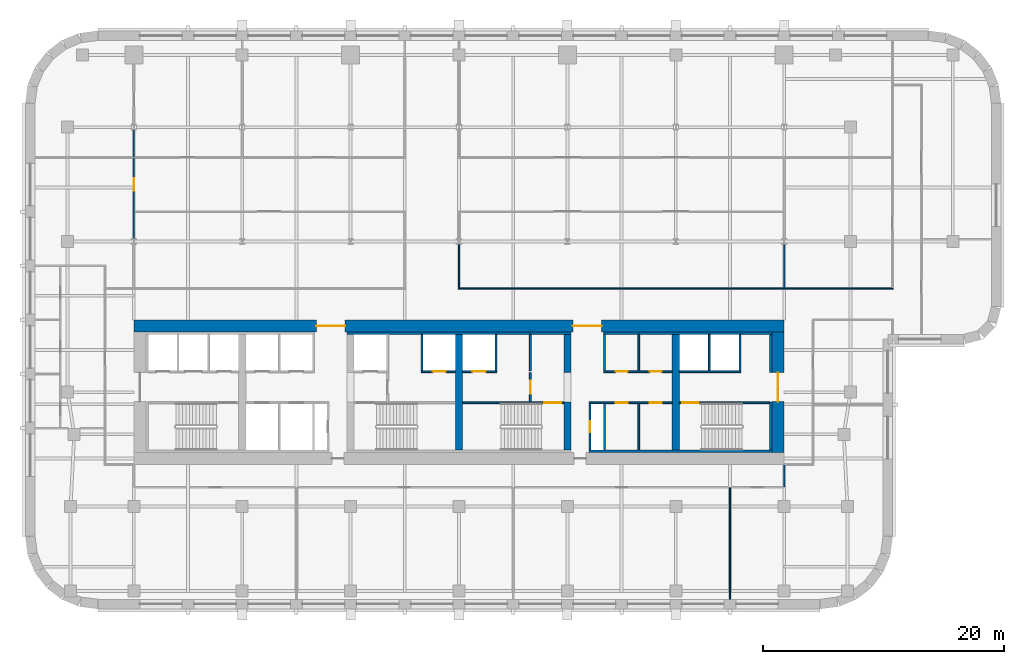
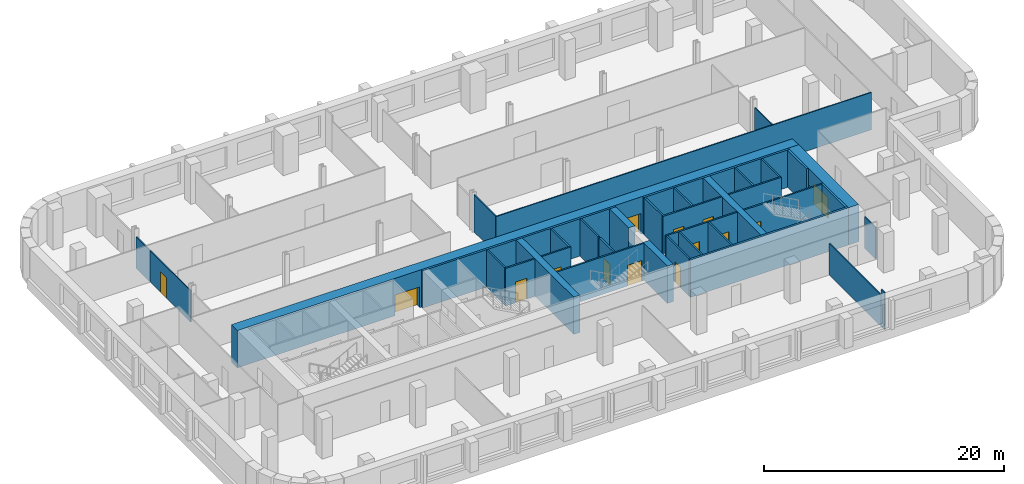
# One storey, part 5 of 10: 37 walls, 14 doors, 14 openings.
"""IFC4 building model written with IfcOpenShell, lengths in metres."""

from ifc_helpers import new_model, si_unit, direction, frame, frame_2d, origin, place, context, subcontext, project, spatial, rectangle, extrude, material, layer, layer_set, type_object, element, fill, save


model = new_model("IFC4")

# Units and contexts
model_context = context("Model", 3, precision=1e-05, world=origin(), true_north=direction((0.0, 1.0)))
body_context = subcontext(model_context, "Body", "Model", "MODEL_VIEW")
ifc_project = project(units=[si_unit("LENGTHUNIT", "METRE"), si_unit("AREAUNIT", "SQUARE_METRE"), si_unit("VOLUMEUNIT", "CUBIC_METRE"), si_unit("PLANEANGLEUNIT", "RADIAN"), si_unit("MASSUNIT", "GRAM", prefix="KILO")], contexts=[model_context])

# Site, building, storey
site_placement = place(None, origin())
site = spatial("IfcSite", under=ifc_project, at=site_placement, CompositionType="ELEMENT")
building_placement = place(site_placement, origin())
building = spatial("IfcBuilding", under=site, at=building_placement, Name="Zellij Exchange Tower", CompositionType="ELEMENT")
storey_placement = place(building_placement, frame((0.0, 0.0, 124.5)))
storey = spatial("IfcBuildingStorey", under=building, at=storey_placement, Name="L27", CompositionType="ELEMENT", Elevation=124.5)

# Walls
ifc_material_1 = material(Name="Concrete C70/85", Category="concrete")
ifc_layer_1 = layer(ifc_material_1, 0.60009765625)
ifc_layer_set_1 = layer_set([ifc_layer_1], Name="Concrete C70/85")
wall_type_1 = type_object("IfcWallType", Name="CORE-CW 600 C70/85", PredefinedType="SHEAR", material=ifc_layer_set_1)
wall_1_placement = place(storey_placement, frame((0.0, -12.800048828125, 0.0), z_axis=(0.0, 0.0, 1.0), x_axis=(0.0, 1.0, 0.0)))
element("IfcWall", 1, at=wall_1_placement, inside=storey, type_object=wall_type_1, Name="Core cross wall x 0 L27", PredefinedType="SHEAR", context=body_context, shape_type="SweptSolid", body=[
    extrude(rectangle(XDim=9.60009765625, YDim=0.60009765625, at=frame_2d((4.800048828125, 0.0))), origin(), (0.0, 0.0, 1.0), 3.800048828125),
])
wall_2_placement = place(storey_placement, frame((9.0, -12.800048828125, 0.0), z_axis=(0.0, 0.0, 1.0), x_axis=(0.0, 1.0, 0.0)))
element("IfcWall", 2, at=wall_2_placement, inside=storey, type_object=wall_type_1, Name="Core cross wall pier x 9 a L27", PredefinedType="SHEAR", context=body_context, shape_type="SweptSolid", body=[
    extrude(rectangle(XDim=4.0, YDim=0.60009765625, at=frame_2d((2.0, 0.0))), origin(), (0.0, 0.0, 1.0), 3.800048828125),
])
wall_3_placement = place(storey_placement, frame((9.0, -6.375, 0.0), z_axis=(0.0, 0.0, 1.0), x_axis=(0.0, 1.0, 0.0)))
element("IfcWall", 3, at=wall_3_placement, inside=storey, type_object=wall_type_1, Name="Core cross wall pier x 9 b L27", PredefinedType="SHEAR", context=body_context, shape_type="SweptSolid", body=[
    extrude(rectangle(XDim=3.175048828125, YDim=0.60009765625, at=frame_2d((1.58740234375, 0.0))), origin(), (0.0, 0.0, 1.0), 3.800048828125),
])
wall_4_placement = place(storey_placement, frame((18.0, -12.800048828125, 0.0), z_axis=(0.0, 0.0, 1.0), x_axis=(0.0, 1.0, 0.0)))
element("IfcWall", 4, at=wall_4_placement, inside=storey, type_object=wall_type_1, Name="Core cross wall x 18 L27", PredefinedType="SHEAR", context=body_context, shape_type="SweptSolid", body=[
    extrude(rectangle(XDim=9.60009765625, YDim=0.60009765625, at=frame_2d((4.800048828125, 0.0))), origin(), (0.0, 0.0, 1.0), 3.800048828125),
])
ifc_material_2 = material(Name="Concrete C30/37", Category="concrete")
ifc_layer_2 = layer(ifc_material_2, 0.199951171875)
ifc_layer_set_2 = layer_set([ifc_layer_2], Name="Concrete C30/37")
wall_type_2 = type_object("IfcWallType", Name="CORE-LW 200 C30/37", PredefinedType="SHEAR", material=ifc_layer_set_2)
wall_5_placement = place(storey_placement, frame((-9.300048828125, -3.10009765625, 0.0), z_axis=(0.0, 0.0, 1.0), x_axis=(1.0, 0.0, 0.0)))
element("IfcWall", 5, at=wall_5_placement, inside=storey, type_object=wall_type_2, Name="Core wall lining front.1 L27", PredefinedType="SHEAR", context=body_context, shape_type="SweptSolid", body=[
    extrude(rectangle(XDim=18.60009765625, YDim=0.199951171875, at=frame_2d((9.300048828125, 0.0))), origin(), (0.0, 0.0, 1.0), 3.800048828125),
])
wall_6_placement = place(storey_placement, frame((12.0, -3.10009765625, 0.0), z_axis=(0.0, 0.0, 1.0), x_axis=(1.0, 0.0, 0.0)))
element("IfcWall", 6, at=wall_6_placement, inside=storey, type_object=wall_type_2, Name="Core wall lining front.2 L27", PredefinedType="SHEAR", context=body_context, shape_type="SweptSolid", body=[
    extrude(rectangle(XDim=14.0, YDim=0.199951171875, at=frame_2d((7.0, 0.0))), origin(), (0.0, 0.0, 1.0), 3.800048828125),
])
wall_7_placement = place(storey_placement, frame((10.800048828125, -12.89990234375, 0.0), z_axis=(0.0, 0.0, 1.0), x_axis=(1.0, 0.0, 0.0)))
element("IfcWall", 7, at=wall_7_placement, inside=storey, type_object=wall_type_2, Name="Core wall lining rear.2 L27", PredefinedType="SHEAR", context=body_context, shape_type="SweptSolid", body=[
    extrude(rectangle(XDim=15.199951171875, YDim=0.199951171875, at=frame_2d((7.60009765625, 0.0))), origin(), (0.0, 0.0, 1.0), 3.800048828125),
])
wall_8_placement = place(storey_placement, frame((25.89990234375, -12.800048828125, 0.0), z_axis=(0.0, 0.0, 1.0), x_axis=(0.0, 1.0, 0.0)))
element("IfcWall", 8, at=wall_8_placement, inside=storey, type_object=wall_type_2, Name="Core wall lining end e.0 L27", PredefinedType="SHEAR", context=body_context, shape_type="SweptSolid", body=[
    extrude(rectangle(XDim=4.0, YDim=0.199951171875, at=frame_2d((2.0, 0.0))), origin(), (0.0, 0.0, 1.0), 3.800048828125),
])
wall_9_placement = place(storey_placement, frame((25.89990234375, -6.375, 0.0), z_axis=(0.0, 0.0, 1.0), x_axis=(0.0, 1.0, 0.0)))
element("IfcWall", 9, at=wall_9_placement, inside=storey, type_object=wall_type_2, Name="Core wall lining end e.1 L27", PredefinedType="SHEAR", context=body_context, shape_type="SweptSolid", body=[
    extrude(rectangle(XDim=3.175048828125, YDim=0.199951171875, at=frame_2d((1.58740234375, 0.0))), origin(), (0.0, 0.0, 1.0), 3.800048828125),
])

# Wall, opening, door
ifc_material_3 = material(Name="Gypsum shaft wall system")
ifc_layer_3 = layer(ifc_material_3, 0.14990234375)
ifc_layer_set_3 = layer_set([ifc_layer_3], Name="Gypsum shaft wall system")
wall_type_3 = type_object("IfcWallType", Name="CORE-PW 150 Firefighting lobby wall", PredefinedType="PARTITIONING", material=ifc_layer_set_3)
wall_10_placement = place(storey_placement, frame((5.925048828125, -8.800048828125, 0.0), z_axis=(0.0, 0.0, 1.0), x_axis=(0.0, 1.0, 0.0)))
wall_10 = element("IfcWall", 10, at=wall_10_placement, inside=storey, type_object=wall_type_3, Name="Firefighting lobby wall L27", PredefinedType="PARTITIONING", context=body_context, shape_type="SweptSolid", body=[
    extrude(rectangle(XDim=2.425048828125, YDim=0.14990234375, at=frame_2d((1.21240234375, 0.0))), origin(), (0.0, 0.0, 1.0), 3.800048828125),
])
opening_1_placement = place(wall_10_placement, frame((0.662109375, 0.0, 0.0)))
opening_1 = element("IfcOpeningElement", 11, at=opening_1_placement, cuts=wall_10, Name="Opening CA-15.18", PredefinedType="OPENING", context=body_context, shape_type="SweptSolid", body=[
    extrude(rectangle(XDim=1.10009765625, YDim=2.10009765625, at=frame_2d((0.550048828125, 1.050048828125))), frame((0.0, 0.0869140625, 0.0), z_axis=(0.0, -1.0, 0.0), x_axis=(1.0, 0.0, 0.0)), (0.0, 0.0, 1.0), 0.173828125),
])
ifc_material_4 = material(Name="Hollow metal fire door")
door_type_1 = type_object("IfcDoorType", Name="CORE-D F Firefighting lobby door 1100x2100 1 HR", OperationType="NOTDEFINED", PredefinedType="DOOR", material=ifc_material_4)
door_1_placement = place(opening_1_placement, origin())
door_1 = element("IfcDoor", 12, at=door_1_placement, inside=storey, type_object=door_type_1, Name="Firefighting lobby door CA-15.18", OperationType="SINGLE_SWING_RIGHT", OverallHeight=2.10009765625, OverallWidth=1.10009765625, PredefinedType="DOOR", context=body_context, shape_type="SweptSolid", body=[
    extrude(rectangle(XDim=1.10009765625, YDim=2.10009765625, at=frame_2d((0.550048828125, 1.050048828125))), frame((0.0, 0.02490234375, 0.0), z_axis=(0.0, -1.0, 0.0), x_axis=(1.0, 0.0, 0.0)), (0.0, 0.0, 1.0), 0.050048828125),
])
fill(opening_1, door_1)

# Walls
ifc_material_5 = material(Name="Gypsum board partition")
ifc_layer_4 = layer(ifc_material_5, 0.14990234375)
ifc_layer_set_4 = layer_set([ifc_layer_4], Name="Gypsum board partition")
wall_type_4 = type_object("IfcWallType", Name="CORE-PW 150 Lift lobby wall", PredefinedType="PARTITIONING", material=ifc_layer_set_4)
for number, where, z_axis, x_axis, name in (
    (13, (5.925048828125, -6.22509765625, 0.0), (0.0, 0.0, 1.0), (0.0, 1.0, 0.0), "Lift lobby wall L27"),
    (14, (12.074951171875, -6.22509765625, 0.0), (0.0, 0.0, 1.0), (0.0, 1.0, 0.0), "Lift lobby wall L27"),
    (15, (14.925048828125, -6.22509765625, 0.0), (0.0, 0.0, 1.0), (0.0, 1.0, 0.0), "Lift lobby wall L27"),
):
    element("IfcWall", number, at=place(storey_placement, frame(where, z_axis=z_axis, x_axis=x_axis)), inside=storey, type_object=wall_type_4, Name=name, PredefinedType="PARTITIONING", context=body_context, shape_type="SweptSolid", body=[
        extrude(rectangle(XDim=3.025146484375, YDim=0.14990234375, at=frame_2d((1.5126953125, 0.0))), origin(), (0.0, 0.0, 1.0), 3.800048828125),
    ])

# Wall, opening, door
wall_11_placement = place(storey_placement, frame((10.875, -12.800048828125, 0.0), z_axis=(0.0, 0.0, 1.0), x_axis=(0.0, 1.0, 0.0)))
wall_11 = element("IfcWall", 16, at=wall_11_placement, inside=storey, type_object=wall_type_4, Name="Lift lobby wall L27", PredefinedType="PARTITIONING", context=body_context, shape_type="SweptSolid", body=[
    extrude(rectangle(XDim=3.85009765625, YDim=0.14990234375, at=frame_2d((1.925048828125, 0.0))), origin(), (0.0, 0.0, 1.0), 3.800048828125),
])
opening_2_placement = place(wall_11_placement, frame((1.47509765625, 0.0, 0.0)))
opening_2 = element("IfcOpeningElement", 17, at=opening_2_placement, cuts=wall_11, Name="Opening CA-15.22", PredefinedType="OPENING", context=body_context, shape_type="SweptSolid", body=[
    extrude(rectangle(XDim=0.89990234375, YDim=2.10009765625, at=frame_2d((0.449951171875, 1.050048828125))), frame((0.0, 0.0869140625, 0.0), z_axis=(0.0, -1.0, 0.0), x_axis=(1.0, 0.0, 0.0)), (0.0, 0.0, 1.0), 0.173828125),
])
door_type_2 = type_object("IfcDoorType", Name="CORE-D RD Riser door 900x2100 1.5 HR", OperationType="NOTDEFINED", PredefinedType="DOOR", material=ifc_material_4)
door_2_placement = place(opening_2_placement, origin())
door_2 = element("IfcDoor", 18, at=door_2_placement, inside=storey, type_object=door_type_2, Name="Riser door CA-15.22", OperationType="SINGLE_SWING_LEFT", OverallHeight=2.10009765625, OverallWidth=0.89990234375, PredefinedType="DOOR", context=body_context, shape_type="SweptSolid", body=[
    extrude(rectangle(XDim=0.89990234375, YDim=2.10009765625, at=frame_2d((0.449951171875, 1.050048828125))), frame((0.0, 0.02490234375, 0.0), z_axis=(0.0, -1.0, 0.0), x_axis=(1.0, 0.0, 0.0)), (0.0, 0.0, 1.0), 0.050048828125),
])
fill(opening_2, door_2)

# Walls
for number, where, z_axis, x_axis, name in (
    (19, (12.074951171875, -12.800048828125, 0.0), (0.0, 0.0, 1.0), (0.0, 1.0, 0.0), "Lift lobby wall L27"),
    (20, (14.925048828125, -12.800048828125, 0.0), (0.0, 0.0, 1.0), (0.0, 1.0, 0.0), "Lift lobby wall L27"),
):
    element("IfcWall", number, at=place(storey_placement, frame(where, z_axis=z_axis, x_axis=x_axis)), inside=storey, type_object=wall_type_4, Name=name, PredefinedType="PARTITIONING", context=body_context, shape_type="SweptSolid", body=[
        extrude(rectangle(XDim=3.85009765625, YDim=0.14990234375, at=frame_2d((1.925048828125, 0.0))), origin(), (0.0, 0.0, 1.0), 3.800048828125),
    ])

# Wall, openings, doors
wall_12_placement = place(storey_placement, frame((12.0, -6.300048828125, 0.0), z_axis=(0.0, 0.0, 1.0), x_axis=(1.0, 0.0, 0.0)))
wall_12 = element("IfcWall", 21, at=wall_12_placement, inside=storey, type_object=wall_type_4, Name="Lift lobby wall L27", PredefinedType="PARTITIONING", context=body_context, shape_type="SweptSolid", body=[
    extrude(rectangle(XDim=5.699951171875, YDim=0.14990234375, at=frame_2d((2.85009765625, 0.0))), origin(), (0.0, 0.0, 1.0), 3.800048828125),
])
opening_3_placement = place(wall_12_placement, frame((1.0, 0.0, 0.0)))
opening_3 = element("IfcOpeningElement", 22, at=opening_3_placement, cuts=wall_12, Name="Opening CA-15.24", PredefinedType="OPENING", context=body_context, shape_type="SweptSolid", body=[
    extrude(rectangle(XDim=1.0, YDim=2.10009765625, at=frame_2d((0.5, 1.050048828125))), frame((0.0, 0.0869140625, 0.0), z_axis=(0.0, -1.0, 0.0), x_axis=(1.0, 0.0, 0.0)), (0.0, 0.0, 1.0), 0.173828125),
])
opening_4_placement = place(wall_12_placement, frame((3.85009765625, 0.0, 0.0)))
opening_4 = element("IfcOpeningElement", 23, at=opening_4_placement, cuts=wall_12, Name="Opening CA-15.26", PredefinedType="OPENING", context=body_context, shape_type="SweptSolid", body=[
    extrude(rectangle(XDim=1.0, YDim=2.10009765625, at=frame_2d((0.5, 1.050048828125))), frame((0.0, 0.0869140625, 0.0), z_axis=(0.0, -1.0, 0.0), x_axis=(1.0, 0.0, 0.0)), (0.0, 0.0, 1.0), 0.173828125),
])
door_type_3 = type_object("IfcDoorType", Name="CORE-D CD Core room door 1000x2100 1 HR", OperationType="NOTDEFINED", PredefinedType="DOOR", material=ifc_material_4)
door_3_placement = place(opening_3_placement, origin())
door_3 = element("IfcDoor", 24, at=door_3_placement, inside=storey, type_object=door_type_3, Name="Core room door CA-15.24", OperationType="SINGLE_SWING_LEFT", OverallHeight=2.10009765625, OverallWidth=1.0, PredefinedType="DOOR", context=body_context, shape_type="SweptSolid", body=[
    extrude(rectangle(XDim=1.0, YDim=2.10009765625, at=frame_2d((0.5, 1.050048828125))), frame((0.0, 0.02490234375, 0.0), z_axis=(0.0, -1.0, 0.0), x_axis=(1.0, 0.0, 0.0)), (0.0, 0.0, 1.0), 0.050048828125),
])
fill(opening_3, door_3)
door_4_placement = place(opening_4_placement, origin())
door_4 = element("IfcDoor", 25, at=door_4_placement, inside=storey, type_object=door_type_3, Name="Core room door CA-15.26", OperationType="SINGLE_SWING_RIGHT", OverallHeight=2.10009765625, OverallWidth=1.0, PredefinedType="DOOR", context=body_context, shape_type="SweptSolid", body=[
    extrude(rectangle(XDim=1.0, YDim=2.10009765625, at=frame_2d((0.5, 1.050048828125))), frame((0.0, 0.02490234375, 0.0), z_axis=(0.0, -1.0, 0.0), x_axis=(1.0, 0.0, 0.0)), (0.0, 0.0, 1.0), 0.050048828125),
])
fill(opening_4, door_4)

wall_13_placement = place(storey_placement, frame((10.800048828125, -8.875, 0.0), z_axis=(0.0, 0.0, 1.0), x_axis=(1.0, 0.0, 0.0)))
wall_13 = element("IfcWall", 26, at=wall_13_placement, inside=storey, type_object=wall_type_4, Name="Lift lobby wall L27", PredefinedType="PARTITIONING", context=body_context, shape_type="SweptSolid", body=[
    extrude(rectangle(XDim=6.89990234375, YDim=0.14990234375, at=frame_2d((3.449951171875, 0.0))), origin(), (0.0, 0.0, 1.0), 3.800048828125),
])
opening_5_placement = place(wall_13_placement, frame((2.199951171875, 0.0, 0.0)))
opening_5 = element("IfcOpeningElement", 27, at=opening_5_placement, cuts=wall_13, Name="Opening CA-15.23", PredefinedType="OPENING", context=body_context, shape_type="SweptSolid", body=[
    extrude(rectangle(XDim=1.0, YDim=2.10009765625, at=frame_2d((0.5, 1.050048828125))), frame((0.0, 0.0869140625, 0.0), z_axis=(0.0, -1.0, 0.0), x_axis=(1.0, 0.0, 0.0)), (0.0, 0.0, 1.0), 0.173828125),
])
opening_6_placement = place(wall_13_placement, frame((5.050048828125, 0.0, 0.0)))
opening_6 = element("IfcOpeningElement", 28, at=opening_6_placement, cuts=wall_13, Name="Opening CA-15.25", PredefinedType="OPENING", context=body_context, shape_type="SweptSolid", body=[
    extrude(rectangle(XDim=1.0, YDim=2.10009765625, at=frame_2d((0.5, 1.050048828125))), frame((0.0, 0.0869140625, 0.0), z_axis=(0.0, -1.0, 0.0), x_axis=(1.0, 0.0, 0.0)), (0.0, 0.0, 1.0), 0.173828125),
])
door_5_placement = place(opening_5_placement, origin())
door_5 = element("IfcDoor", 29, at=door_5_placement, inside=storey, type_object=door_type_3, Name="Core room door CA-15.23", OperationType="SINGLE_SWING_RIGHT", OverallHeight=2.10009765625, OverallWidth=1.0, PredefinedType="DOOR", context=body_context, shape_type="SweptSolid", body=[
    extrude(rectangle(XDim=1.0, YDim=2.10009765625, at=frame_2d((0.5, 1.050048828125))), frame((0.0, 0.02490234375, 0.0), z_axis=(0.0, -1.0, 0.0), x_axis=(1.0, 0.0, 0.0)), (0.0, 0.0, 1.0), 0.050048828125),
])
fill(opening_5, door_5)
door_6_placement = place(opening_6_placement, origin())
door_6 = element("IfcDoor", 30, at=door_6_placement, inside=storey, type_object=door_type_3, Name="Core room door CA-15.25", OperationType="SINGLE_SWING_LEFT", OverallHeight=2.10009765625, OverallWidth=1.0, PredefinedType="DOOR", context=body_context, shape_type="SweptSolid", body=[
    extrude(rectangle(XDim=1.0, YDim=2.10009765625, at=frame_2d((0.5, 1.050048828125))), frame((0.0, 0.02490234375, 0.0), z_axis=(0.0, -1.0, 0.0), x_axis=(1.0, 0.0, 0.0)), (0.0, 0.0, 1.0), 0.050048828125),
])
fill(opening_6, door_6)

# Walls
ifc_layer_5 = layer(ifc_material_3, 0.14990234375)
ifc_layer_set_5 = layer_set([ifc_layer_5], Name="Gypsum shaft wall system")
wall_type_5 = type_object("IfcWallType", Name="CORE-PW 150 Lift shaft wall", PredefinedType="PARTITIONING", material=ifc_layer_set_5)
for number, where, z_axis, x_axis, name in (
    (31, (-3.074951171875, -6.22509765625, 0.0), (0.0, 0.0, 1.0), (0.0, 1.0, 0.0), "Lift shaft wall L27"),
    (32, (3.074951171875, -6.22509765625, 0.0), (0.0, 0.0, 1.0), (0.0, 1.0, 0.0), "Lift shaft wall L27"),
    (33, (20.77490234375, -6.22509765625, 0.0), (0.0, 0.0, 1.0), (0.0, 1.0, 0.0), "Lift shaft wall L27"),
    (34, (23.324951171875, -6.22509765625, 0.0), (0.0, 0.0, 1.0), (0.0, 1.0, 0.0), "Lift shaft wall L27"),
):
    element("IfcWall", number, at=place(storey_placement, frame(where, z_axis=z_axis, x_axis=x_axis)), inside=storey, type_object=wall_type_5, Name=name, PredefinedType="PARTITIONING", context=body_context, shape_type="SweptSolid", body=[
        extrude(rectangle(XDim=3.025146484375, YDim=0.14990234375, at=frame_2d((1.5126953125, 0.0))), origin(), (0.0, 0.0, 1.0), 3.800048828125),
    ])

# Wall, opening, door
wall_14_placement = place(storey_placement, frame((-3.14990234375, -6.300048828125, 0.0), z_axis=(0.0, 0.0, 1.0), x_axis=(1.0, 0.0, 0.0)))
wall_14 = element("IfcWall", 35, at=wall_14_placement, inside=storey, type_object=wall_type_5, Name="Lift shaft wall L27", PredefinedType="PARTITIONING", context=body_context, shape_type="SweptSolid", body=[
    extrude(rectangle(XDim=2.849853515625, YDim=0.14990234375, at=frame_2d((1.4248046875, 0.0))), origin(), (0.0, 0.0, 1.0), 3.800048828125),
])
opening_7_placement = place(wall_14_placement, frame((0.949951171875, 0.0, 0.0)))
opening_7 = element("IfcOpeningElement", 36, at=opening_7_placement, cuts=wall_14, Name="Opening CA-15.16", PredefinedType="OPENING", context=body_context, shape_type="SweptSolid", body=[
    extrude(rectangle(XDim=1.10009765625, YDim=2.10009765625, at=frame_2d((0.550048828125, 1.050048828125))), frame((0.0, 0.0869140625, 0.0), z_axis=(0.0, -1.0, 0.0), x_axis=(1.0, 0.0, 0.0)), (0.0, 0.0, 1.0), 0.173828125),
])
door_type_4 = type_object("IfcDoorType", Name="CORE-D LD Lift landing door 1100x2100 1.5 HR", OperationType="NOTDEFINED", PredefinedType="DOOR", material=ifc_material_4)
door_7_placement = place(opening_7_placement, origin())
door_7 = element("IfcDoor", 37, at=door_7_placement, inside=storey, type_object=door_type_4, Name="Lift landing door CA-15.16", OperationType="SLIDING_TO_RIGHT", OverallHeight=2.10009765625, OverallWidth=1.10009765625, PredefinedType="DOOR", context=body_context, shape_type="SweptSolid", body=[
    extrude(rectangle(XDim=1.10009765625, YDim=2.10009765625, at=frame_2d((0.550048828125, 1.050048828125))), frame((0.0, 0.02490234375, 0.0), z_axis=(0.0, -1.0, 0.0), x_axis=(1.0, 0.0, 0.0)), (0.0, 0.0, 1.0), 0.050048828125),
])
fill(opening_7, door_7)

wall_15_placement = place(storey_placement, frame((0.300048828125, -6.300048828125, 0.0), z_axis=(0.0, 0.0, 1.0), x_axis=(1.0, 0.0, 0.0)))
wall_15 = element("IfcWall", 38, at=wall_15_placement, inside=storey, type_object=wall_type_5, Name="Lift shaft wall L27", PredefinedType="PARTITIONING", context=body_context, shape_type="SweptSolid", body=[
    extrude(rectangle(XDim=2.849853515625, YDim=0.14990234375, at=frame_2d((1.4248046875, 0.0))), origin(), (0.0, 0.0, 1.0), 3.800048828125),
])
opening_8_placement = place(wall_15_placement, frame((0.800048828125, 0.0, 0.0)))
opening_8 = element("IfcOpeningElement", 39, at=opening_8_placement, cuts=wall_15, Name="Opening CA-15.17", PredefinedType="OPENING", context=body_context, shape_type="SweptSolid", body=[
    extrude(rectangle(XDim=1.10009765625, YDim=2.10009765625, at=frame_2d((0.550048828125, 1.050048828125))), frame((0.0, 0.0869140625, 0.0), z_axis=(0.0, -1.0, 0.0), x_axis=(1.0, 0.0, 0.0)), (0.0, 0.0, 1.0), 0.173828125),
])
door_8_placement = place(opening_8_placement, origin())
door_8 = element("IfcDoor", 40, at=door_8_placement, inside=storey, type_object=door_type_4, Name="Lift landing door CA-15.17", OperationType="SLIDING_TO_LEFT", OverallHeight=2.10009765625, OverallWidth=1.10009765625, PredefinedType="DOOR", context=body_context, shape_type="SweptSolid", body=[
    extrude(rectangle(XDim=1.10009765625, YDim=2.10009765625, at=frame_2d((0.550048828125, 1.050048828125))), frame((0.0, 0.02490234375, 0.0), z_axis=(0.0, -1.0, 0.0), x_axis=(1.0, 0.0, 0.0)), (0.0, 0.0, 1.0), 0.050048828125),
])
fill(opening_8, door_8)

# Wall
wall_16_placement = place(storey_placement, frame((18.300048828125, -6.300048828125, 0.0), z_axis=(0.0, 0.0, 1.0), x_axis=(1.0, 0.0, 0.0)))
element("IfcWall", 41, at=wall_16_placement, inside=storey, type_object=wall_type_5, Name="Lift shaft wall L27", PredefinedType="PARTITIONING", context=body_context, shape_type="SweptSolid", body=[
    extrude(rectangle(XDim=5.099853515625, YDim=0.14990234375, at=frame_2d((2.5498046875, 0.0))), origin(), (0.0, 0.0, 1.0), 3.800048828125),
])

# Wall, openings, doors
ifc_layer_6 = layer(ifc_material_1, 1.0)
ifc_layer_set_6 = layer_set([ifc_layer_6], Name="Concrete C70/85")
wall_type_6 = type_object("IfcWallType", Name="CORE-SW 1000 C70/85", PredefinedType="SHEAR", material=ifc_layer_set_6)
wall_17_placement = place(storey_placement, frame((-27.0, -2.5, 0.0), z_axis=(0.0, 0.0, 1.0), x_axis=(1.0, 0.0, 0.0)))
wall_17 = element("IfcWall", 42, at=wall_17_placement, inside=storey, type_object=wall_type_6, Name="Core shear wall front L27", PredefinedType="SHEAR", context=body_context, shape_type="SweptSolid", body=[
    extrude(rectangle(XDim=54.0, YDim=1.0, at=frame_2d((27.0, 0.0))), origin(), (0.0, 0.0, 1.0), 3.800048828125),
])
opening_9_placement = place(wall_17_placement, frame((15.14990234375, 0.0, 0.0)))
opening_9 = element("IfcOpeningElement", 43, at=opening_9_placement, cuts=wall_17, Name="Opening CA-15.11", PredefinedType="OPENING", context=body_context, shape_type="SweptSolid", body=[
    extrude(rectangle(XDim=2.39990234375, YDim=2.10009765625, at=frame_2d((1.199951171875, 1.050048828125))), frame((0.0, 0.511962890625, 0.0), z_axis=(0.0, -1.0, 0.0), x_axis=(1.0, 0.0, 0.0)), (0.0, 0.0, 1.0), 1.02392578125),
])
opening_10_placement = place(wall_17_placement, frame((36.449951171875, 0.0, 0.0)))
opening_10 = element("IfcOpeningElement", 44, at=opening_10_placement, cuts=wall_17, Name="Opening CA-15.21", PredefinedType="OPENING", context=body_context, shape_type="SweptSolid", body=[
    extrude(rectangle(XDim=2.39990234375, YDim=2.10009765625, at=frame_2d((1.199951171875, 1.050048828125))), frame((0.0, 0.511962890625, 0.0), z_axis=(0.0, -1.0, 0.0), x_axis=(1.0, 0.0, 0.0)), (0.0, 0.0, 1.0), 1.02392578125),
])
door_type_5 = type_object("IfcDoorType", Name="CORE-D CE Core entrance door 2400x2100 20 MIN", OperationType="NOTDEFINED", PredefinedType="DOOR", material=ifc_material_4)
door_9_placement = place(opening_9_placement, origin())
door_9 = element("IfcDoor", 45, at=door_9_placement, inside=storey, type_object=door_type_5, Name="Core entrance door CA-15.11", OperationType="DOUBLE_DOOR_SINGLE_SWING", OverallHeight=2.10009765625, OverallWidth=2.39990234375, PredefinedType="DOOR", context=body_context, shape_type="SweptSolid", body=[
    extrude(rectangle(XDim=2.39990234375, YDim=2.10009765625, at=frame_2d((1.199951171875, 1.050048828125))), frame((0.0, 0.02490234375, 0.0), z_axis=(0.0, -1.0, 0.0), x_axis=(1.0, 0.0, 0.0)), (0.0, 0.0, 1.0), 0.050048828125),
])
fill(opening_9, door_9)
door_10_placement = place(opening_10_placement, origin())
door_10 = element("IfcDoor", 46, at=door_10_placement, inside=storey, type_object=door_type_5, Name="Core entrance door CA-15.21", OperationType="DOUBLE_DOOR_SINGLE_SWING", OverallHeight=2.10009765625, OverallWidth=2.39990234375, PredefinedType="DOOR", context=body_context, shape_type="SweptSolid", body=[
    extrude(rectangle(XDim=2.39990234375, YDim=2.10009765625, at=frame_2d((1.199951171875, 1.050048828125))), frame((0.0, 0.02490234375, 0.0), z_axis=(0.0, -1.0, 0.0), x_axis=(1.0, 0.0, 0.0)), (0.0, 0.0, 1.0), 0.050048828125),
])
fill(opening_10, door_10)

# Wall, opening, door
wall_18_placement = place(storey_placement, frame((26.5, -13.0, 0.0), z_axis=(0.0, 0.0, 1.0), x_axis=(0.0, 1.0, 0.0)))
wall_18 = element("IfcWall", 47, at=wall_18_placement, inside=storey, type_object=wall_type_6, Name="Core shear wall end e L27", PredefinedType="SHEAR", context=body_context, shape_type="SweptSolid", body=[
    extrude(rectangle(XDim=10.0, YDim=1.0, at=frame_2d((5.0, 0.0))), origin(), (0.0, 0.0, 1.0), 3.800048828125),
])
opening_11_placement = place(wall_18_placement, frame((4.2119140625, 0.0, 0.0)))
opening_11 = element("IfcOpeningElement", 48, at=opening_11_placement, cuts=wall_18, Name="Opening CA-15.28", PredefinedType="OPENING", context=body_context, shape_type="SweptSolid", body=[
    extrude(rectangle(XDim=2.39990234375, YDim=2.10009765625, at=frame_2d((1.199951171875, 1.050048828125))), frame((0.0, 0.511962890625, 0.0), z_axis=(0.0, -1.0, 0.0), x_axis=(1.0, 0.0, 0.0)), (0.0, 0.0, 1.0), 1.02392578125),
])
door_11_placement = place(opening_11_placement, origin())
door_11 = element("IfcDoor", 49, at=door_11_placement, inside=storey, type_object=door_type_5, Name="Core entrance door CA-15.28", OperationType="DOUBLE_DOOR_SINGLE_SWING", OverallHeight=2.10009765625, OverallWidth=2.39990234375, PredefinedType="DOOR", context=body_context, shape_type="SweptSolid", body=[
    extrude(rectangle(XDim=2.39990234375, YDim=2.10009765625, at=frame_2d((1.199951171875, 1.050048828125))), frame((0.0, 0.02490234375, 0.0), z_axis=(0.0, -1.0, 0.0), x_axis=(1.0, 0.0, 0.0)), (0.0, 0.0, 1.0), 0.050048828125),
])
fill(opening_11, door_11)

ifc_layer_7 = layer(ifc_material_1, 0.14990234375)
ifc_layer_set_7 = layer_set([ifc_layer_7], Name="Concrete C70/85")
wall_type_7 = type_object("IfcWallType", Name="CORE-SWS 150 C70/85", PredefinedType="SHEAR", material=ifc_layer_set_7)
wall_19_placement = place(storey_placement, frame((0.300048828125, -8.875, 0.0), z_axis=(0.0, 0.0, 1.0), x_axis=(1.0, 0.0, 0.0)))
wall_19 = element("IfcWall", 50, at=wall_19_placement, inside=storey, type_object=wall_type_7, Name="Stair enclosure wall L27", PredefinedType="SHEAR", context=body_context, shape_type="SweptSolid", body=[
    extrude(rectangle(XDim=8.39990234375, YDim=0.14990234375, at=frame_2d((4.199951171875, 0.0))), origin(), (0.0, 0.0, 1.0), 3.800048828125),
])
opening_12_placement = place(wall_19_placement, frame((6.77490234375, 0.0, 0.0)))
opening_12 = element("IfcOpeningElement", 51, at=opening_12_placement, cuts=wall_19, Name="Opening CA-15.19", PredefinedType="OPENING", context=body_context, shape_type="SweptSolid", body=[
    extrude(rectangle(XDim=1.39990234375, YDim=2.10009765625, at=frame_2d((0.699951171875, 1.050048828125))), frame((0.0, 0.0869140625, 0.0), z_axis=(0.0, -1.0, 0.0), x_axis=(1.0, 0.0, 0.0)), (0.0, 0.0, 1.0), 0.173828125),
])
door_type_6 = type_object("IfcDoorType", Name="CORE-D SD Stair door 1400x2100 1.5 HR", OperationType="NOTDEFINED", PredefinedType="DOOR", material=ifc_material_4)
door_12_placement = place(opening_12_placement, origin())
door_12 = element("IfcDoor", 52, at=door_12_placement, inside=storey, type_object=door_type_6, Name="Stair door CA-15.19", OperationType="DOUBLE_DOOR_SINGLE_SWING", OverallHeight=2.10009765625, OverallWidth=1.39990234375, PredefinedType="DOOR", context=body_context, shape_type="SweptSolid", body=[
    extrude(rectangle(XDim=1.39990234375, YDim=2.10009765625, at=frame_2d((0.699951171875, 1.050048828125))), frame((0.0, 0.02490234375, 0.0), z_axis=(0.0, -1.0, 0.0), x_axis=(1.0, 0.0, 0.0)), (0.0, 0.0, 1.0), 0.050048828125),
])
fill(opening_12, door_12)

wall_20_placement = place(storey_placement, frame((18.300048828125, -8.875, 0.0), z_axis=(0.0, 0.0, 1.0), x_axis=(1.0, 0.0, 0.0)))
wall_20 = element("IfcWall", 53, at=wall_20_placement, inside=storey, type_object=wall_type_7, Name="Stair enclosure wall L27", PredefinedType="SHEAR", context=body_context, shape_type="SweptSolid", body=[
    extrude(rectangle(XDim=7.5, YDim=0.14990234375, at=frame_2d((3.75, 0.0))), origin(), (0.0, 0.0, 1.0), 3.800048828125),
])
opening_13_placement = place(wall_20_placement, frame((0.22509765625, 0.0, 0.0)))
opening_13 = element("IfcOpeningElement", 54, at=opening_13_placement, cuts=wall_20, Name="Opening CA-15.27", PredefinedType="OPENING", context=body_context, shape_type="SweptSolid", body=[
    extrude(rectangle(XDim=1.39990234375, YDim=2.10009765625, at=frame_2d((0.699951171875, 1.050048828125))), frame((0.0, 0.0869140625, 0.0), z_axis=(0.0, -1.0, 0.0), x_axis=(1.0, 0.0, 0.0)), (0.0, 0.0, 1.0), 0.173828125),
])
door_13_placement = place(opening_13_placement, origin())
door_13 = element("IfcDoor", 55, at=door_13_placement, inside=storey, type_object=door_type_6, Name="Stair door CA-15.27", OperationType="DOUBLE_DOOR_SINGLE_SWING", OverallHeight=2.10009765625, OverallWidth=1.39990234375, PredefinedType="DOOR", context=body_context, shape_type="SweptSolid", body=[
    extrude(rectangle(XDim=1.39990234375, YDim=2.10009765625, at=frame_2d((0.699951171875, 1.050048828125))), frame((0.0, 0.02490234375, 0.0), z_axis=(0.0, -1.0, 0.0), x_axis=(1.0, 0.0, 0.0)), (0.0, 0.0, 1.0), 0.050048828125),
])
fill(opening_13, door_13)

# Walls
ifc_material_6 = material(Name="Gypsum board partition on steel studs", Category="steel")
ifc_layer_8 = layer(ifc_material_6, 0.10009765625)
ifc_layer_set_8 = layer_set([ifc_layer_8], Name="Gypsum board partition on steel studs")
wall_type_8 = type_object("IfcWallType", Name="FIT-PARTITION-100", PredefinedType="PARTITIONING", material=ifc_layer_set_8)
wall_21_placement = place(storey_placement, frame((22.5, -25.199951171875, 0.0), z_axis=(0.0, 0.0, 1.0), x_axis=(0.0, 1.0, 0.0)))
element("IfcWall", 56, at=wall_21_placement, inside=storey, type_object=wall_type_8, Name="FIT-PARTITION-100 005", PredefinedType="PARTITIONING", context=body_context, shape_type="SweptSolid", body=[
    extrude(rectangle(XDim=0.58544921875, YDim=0.10009765625, at=frame_2d((0.292724609375, 0.0))), origin(), (0.0, 0.0, 1.0), 3.800048828125),
])
wall_22_placement = place(storey_placement, frame((22.5, -24.614501953125, 0.0), z_axis=(0.0, 0.0, 1.0), x_axis=(0.0, 1.0, 0.0)))
element("IfcWall", 57, at=wall_22_placement, inside=storey, type_object=wall_type_8, Name="FIT-PARTITION-100 006", PredefinedType="PARTITIONING", context=body_context, shape_type="SweptSolid", body=[
    extrude(rectangle(XDim=8.66455078125, YDim=0.10009765625, at=frame_2d((4.332275390625, 0.0))), origin(), (0.0, 0.0, 1.0), 3.197998046875),
])
wall_23_placement = place(storey_placement, frame((27.0, -15.85009765625, 0.0), z_axis=(0.0, 0.0, 1.0), x_axis=(0.0, 1.0, 0.0)))
element("IfcWall", 58, at=wall_23_placement, inside=storey, type_object=wall_type_8, Name="FIT-PARTITION-100 009", PredefinedType="PARTITIONING", context=body_context, shape_type="SweptSolid", body=[
    extrude(rectangle(XDim=1.800048828125, YDim=0.10009765625, at=frame_2d((0.89990234375, 0.0))), origin(), (0.0, 0.0, 1.0), 3.18798828125),
])

# Wall, opening, door
wall_24_placement = place(storey_placement, frame((-27.0, 4.727294921875, 0.0), z_axis=(0.0, 0.0, 1.0), x_axis=(0.0, 1.0, 0.0)))
wall_24 = element("IfcWall", 59, at=wall_24_placement, inside=storey, type_object=wall_type_8, Name="FIT-PARTITION-100 025", PredefinedType="PARTITIONING", context=body_context, shape_type="SweptSolid", body=[
    extrude(rectangle(XDim=6.70263671875, YDim=0.10009765625, at=frame_2d((3.351318359375, 0.0))), origin(), (0.0, 0.0, 1.0), 3.18798828125),
])
opening_14_placement = place(wall_24_placement, frame((4.0126953125, 0.0, 0.0)))
opening_14 = element("IfcOpeningElement", 60, at=opening_14_placement, cuts=wall_24, Name="Opening TF.15", PredefinedType="OPENING", context=body_context, shape_type="SweptSolid", body=[
    extrude(rectangle(XDim=1.0, YDim=2.10009765625, at=frame_2d((0.5, 1.050048828125))), frame((0.0, 0.06201171875, 0.0), z_axis=(0.0, -1.0, 0.0), x_axis=(1.0, 0.0, 0.0)), (0.0, 0.0, 1.0), 0.1240234375),
])
ifc_material_7 = material(Name="Timber door set", Category="wood")
door_type_7 = type_object("IfcDoorType", Name="FIT-D2-WIDE-1000X2100", OperationType="SINGLE_SWING_LEFT", PredefinedType="DOOR", material=ifc_material_7)
door_14_placement = place(opening_14_placement, origin())
door_14 = element("IfcDoor", 61, at=door_14_placement, inside=storey, type_object=door_type_7, Name="Door TF.15", OperationType="SINGLE_SWING_LEFT", OverallHeight=2.10009765625, OverallWidth=1.0, PredefinedType="DOOR", context=body_context, shape_type="SweptSolid", body=[
    extrude(rectangle(XDim=1.0, YDim=2.10009765625, at=frame_2d((0.5, 1.050048828125))), frame((0.0, 0.02490234375, 0.0), z_axis=(0.0, -1.0, 0.0), x_axis=(1.0, 0.0, 0.0)), (0.0, 0.0, 1.0), 0.050048828125),
])
fill(opening_14, door_14)

# Walls
wall_25_placement = place(storey_placement, frame((-0.050048828125, 0.60009765625, 0.0), z_axis=(0.0, 0.0, 1.0), x_axis=(1.0, 0.0, 0.0)))
element("IfcWall", 62, at=wall_25_placement, inside=storey, type_object=wall_type_8, Name="FIT-PARTITION-100 027", PredefinedType="PARTITIONING", context=body_context, shape_type="SweptSolid", body=[
    extrude(rectangle(XDim=36.10009765625, YDim=0.10009765625, at=frame_2d((18.050048828125, 0.0))), origin(), (0.0, 0.0, 1.0), 3.800048828125),
])
wall_26_placement = place(storey_placement, frame((0.0, 0.64990234375, 0.0), z_axis=(0.0, 0.0, 1.0), x_axis=(0.0, 1.0, 0.0)))
element("IfcWall", 63, at=wall_26_placement, inside=storey, type_object=wall_type_8, Name="FIT-PARTITION-100 028", PredefinedType="PARTITIONING", context=body_context, shape_type="SweptSolid", body=[
    extrude(rectangle(XDim=3.622802734375, YDim=0.10009765625, at=frame_2d((1.8115234375, 0.0))), origin(), (0.0, 0.0, 1.0), 3.800048828125),
])
wall_27_placement = place(storey_placement, frame((27.0, 0.64990234375, 0.0), z_axis=(0.0, 0.0, 1.0), x_axis=(0.0, 1.0, 0.0)))
element("IfcWall", 64, at=wall_27_placement, inside=storey, type_object=wall_type_8, Name="FIT-PARTITION-100 030", PredefinedType="PARTITIONING", context=body_context, shape_type="SweptSolid", body=[
    extrude(rectangle(XDim=3.622802734375, YDim=0.10009765625, at=frame_2d((1.8115234375, 0.0))), origin(), (0.0, 0.0, 1.0), 3.18798828125),
])
wall_28_placement = place(storey_placement, frame((-27.0, 11.530029296875, 0.0), z_axis=(0.0, 0.0, 1.0), x_axis=(0.0, 1.0, 0.0)))
element("IfcWall", 65, at=wall_28_placement, inside=storey, type_object=wall_type_8, Name="FIT-PARTITION-100 039", PredefinedType="PARTITIONING", context=body_context, shape_type="SweptSolid", body=[
    extrude(rectangle(XDim=2.24267578125, YDim=0.10009765625, at=frame_2d((1.121337890625, 0.0))), origin(), (0.0, 0.0, 1.0), 3.18798828125),
])

save(model, "model.ifc")
